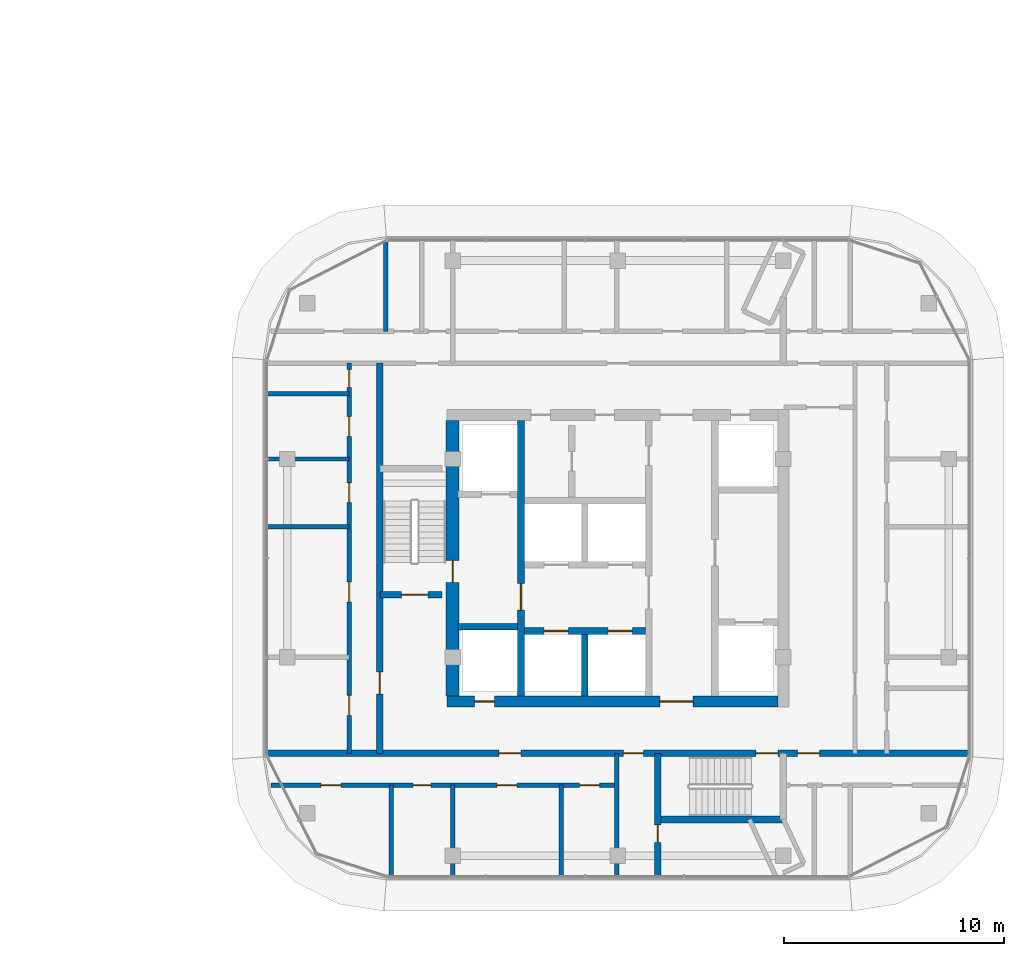
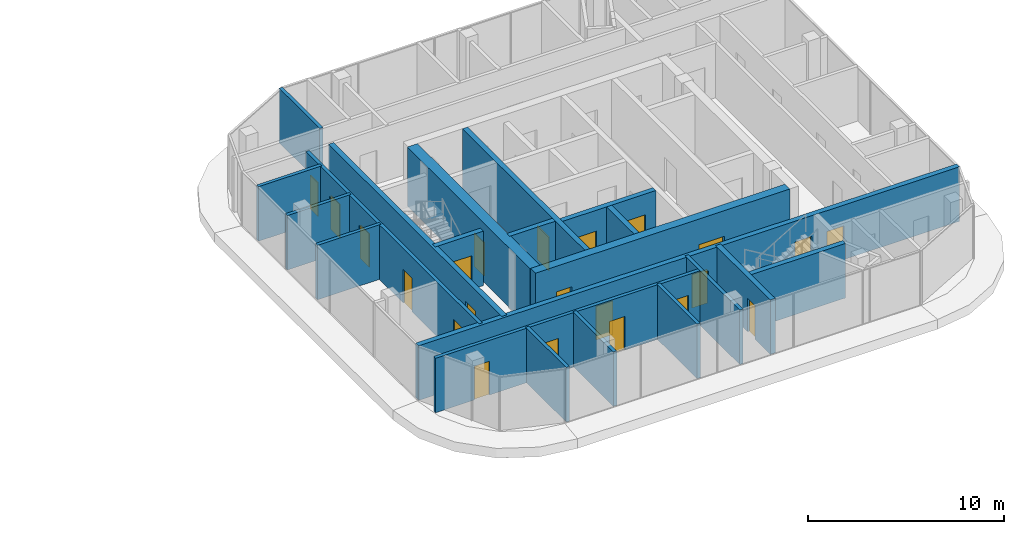
# One storey, part 26 of 40: 22 doors, 21 walls, 22 openings.
"""IFC4 building model written with IfcOpenShell, lengths in metres."""

from ifc_helpers import new_model, si_unit, direction, frame, frame_2d, origin, place, context, subcontext, project, spatial, rectangle, extrude, material, layer, layer_set, type_object, element, fill, save


model = new_model("IFC4")

# Units and contexts
model_context = context("Model", 3, precision=1e-05, world=origin(), true_north=direction((0.0, 1.0)))
body_context = subcontext(model_context, "Body", "Model", "MODEL_VIEW")
ifc_project = project(units=[si_unit("LENGTHUNIT", "METRE"), si_unit("AREAUNIT", "SQUARE_METRE"), si_unit("VOLUMEUNIT", "CUBIC_METRE"), si_unit("PLANEANGLEUNIT", "RADIAN"), si_unit("MASSUNIT", "GRAM", prefix="KILO")], contexts=[model_context])

# Site, building, storey
site_placement = place(None, origin())
site = spatial("IfcSite", under=ifc_project, at=site_placement, CompositionType="ELEMENT")
building_placement = place(site_placement, origin())
building = spatial("IfcBuilding", under=site, at=building_placement, Name="Ogive Portal Towers", CompositionType="ELEMENT")
storey_placement = place(building_placement, frame((0.0, 0.0, 87.10009765625)))
storey = spatial("IfcBuildingStorey", under=building, at=storey_placement, Name="L20", CompositionType="ELEMENT", Elevation=87.10009765625)

# Wall, opening, door
ifc_material_1 = material(Name="Concrete C60/75", Category="concrete")
ifc_layer_1 = layer(ifc_material_1, 0.300048828125)
ifc_layer_set_1 = layer_set([ifc_layer_1], Name="CORE WALL 300 C60")
wall_type_1 = type_object("IfcWallType", Name="CORE WALL 300 C60", PredefinedType="SHEAR", material=ifc_layer_set_1)
wall_1_placement = place(storey_placement, frame((132.10009765625, 24.75, 0.0), z_axis=(0.0, 0.0, 1.0), x_axis=(0.0, 1.0, 0.0)))
wall_1 = element("IfcWall", 1, at=wall_1_placement, inside=storey, type_object=wall_type_1, Name="Tower B core wall BX1 L20", PredefinedType="SHEAR", context=body_context, shape_type="SweptSolid", body=[
    extrude(rectangle(XDim=12.5, YDim=0.300048828125, at=frame_2d((6.25, 0.0))), origin(), (0.0, 0.0, 1.0), 3.699951171875),
])
opening_1_placement = place(wall_1_placement, frame((3.89990234375, 0.0, 0.0)))
opening_1 = element("IfcOpeningElement", 2, at=opening_1_placement, cuts=wall_1, Name="Opening B07-042", PredefinedType="OPENING", context=body_context, shape_type="SweptSolid", body=[
    extrude(rectangle(XDim=1.199951171875, YDim=2.10009765625, at=frame_2d((0.60009765625, 1.050048828125))), frame((0.0, 0.16015625, 0.0), z_axis=(0.0, -1.0, 0.0), x_axis=(1.0, 0.0, 0.0)), (0.0, 0.0, 1.0), 0.320068359375),
])
ifc_material_2 = material(Name="Steel fire door", Category="steel")
door_type_1 = type_object("IfcDoorType", Name="DT-SWING-1200x2100-FD90S", OperationType="SINGLE_SWING_LEFT", PredefinedType="DOOR", material=ifc_material_2)
door_1_placement = place(opening_1_placement, origin())
door_1 = element("IfcDoor", 3, at=door_1_placement, inside=storey, type_object=door_type_1, Name="Door B07-042", OperationType="SINGLE_SWING_LEFT", OverallHeight=2.10009765625, OverallWidth=1.199951171875, PredefinedType="DOOR", context=body_context, shape_type="SweptSolid", body=[
    extrude(rectangle(XDim=1.199951171875, YDim=2.10009765625, at=frame_2d((0.60009765625, 1.050048828125))), frame((0.0, 0.02490234375, 0.0), z_axis=(0.0, -1.0, 0.0), x_axis=(1.0, 0.0, 0.0)), (0.0, 0.0, 1.0), 0.050048828125),
])
fill(opening_1, door_1)

# Wall
wall_2_placement = place(storey_placement, frame((135.0, 24.75, 0.0), z_axis=(0.0, 0.0, 1.0), x_axis=(0.0, 1.0, 0.0)))
element("IfcWall", 4, at=wall_2_placement, inside=storey, type_object=wall_type_1, Name="Tower B core wall BX4 L20", PredefinedType="SHEAR", context=body_context, shape_type="SweptSolid", body=[
    extrude(rectangle(XDim=2.800048828125, YDim=0.300048828125, at=frame_2d((1.39990234375, 0.0))), origin(), (0.0, 0.0, 1.0), 3.699951171875),
])

# Wall, openings, doors
wall_3_placement = place(storey_placement, frame((132.25, 27.699951171875, 0.0), z_axis=(0.0, 0.0, 1.0), x_axis=(1.0, 0.0, 0.0)))
wall_3 = element("IfcWall", 5, at=wall_3_placement, inside=storey, type_object=wall_type_1, Name="Tower B core wall BY1 L20", PredefinedType="SHEAR", context=body_context, shape_type="SweptSolid", body=[
    extrude(rectangle(XDim=5.5, YDim=0.300048828125, at=frame_2d((2.75, 0.0))), origin(), (0.0, 0.0, 1.0), 3.699951171875),
])
opening_2_placement = place(wall_3_placement, frame((0.89990234375, 0.0, 0.0)))
opening_2 = element("IfcOpeningElement", 6, at=opening_2_placement, cuts=wall_3, Name="Opening B07-049", PredefinedType="OPENING", context=body_context, shape_type="SweptSolid", body=[
    extrude(rectangle(XDim=1.10009765625, YDim=2.39990234375, at=frame_2d((0.550048828125, 1.199951171875))), frame((0.0, 0.16015625, 0.0), z_axis=(0.0, -1.0, 0.0), x_axis=(1.0, 0.0, 0.0)), (0.0, 0.0, 1.0), 0.320068359375),
])
opening_3_placement = place(wall_3_placement, frame((3.800048828125, 0.0, 0.0)))
opening_3 = element("IfcOpeningElement", 7, at=opening_3_placement, cuts=wall_3, Name="Opening B07-050", PredefinedType="OPENING", context=body_context, shape_type="SweptSolid", body=[
    extrude(rectangle(XDim=1.10009765625, YDim=2.39990234375, at=frame_2d((0.550048828125, 1.199951171875))), frame((0.0, 0.16015625, 0.0), z_axis=(0.0, -1.0, 0.0), x_axis=(1.0, 0.0, 0.0)), (0.0, 0.0, 1.0), 0.320068359375),
])
ifc_material_3 = material(Name="Stainless steel", Category="steel")
door_type_2 = type_object("IfcDoorType", Name="DT-LD-1100x2400", OperationType="SLIDING_TO_LEFT", PredefinedType="DOOR", material=ifc_material_3)
door_2_placement = place(opening_2_placement, origin())
door_2 = element("IfcDoor", 8, at=door_2_placement, inside=storey, type_object=door_type_2, Name="Door B07-049", OperationType="SLIDING_TO_LEFT", OverallHeight=2.39990234375, OverallWidth=1.10009765625, PredefinedType="DOOR", context=body_context, shape_type="SweptSolid", body=[
    extrude(rectangle(XDim=1.10009765625, YDim=2.39990234375, at=frame_2d((0.550048828125, 1.199951171875))), frame((0.0, 0.02490234375, 0.0), z_axis=(0.0, -1.0, 0.0), x_axis=(1.0, 0.0, 0.0)), (0.0, 0.0, 1.0), 0.050048828125),
])
fill(opening_2, door_2)
door_3_placement = place(opening_3_placement, origin())
door_3 = element("IfcDoor", 9, at=door_3_placement, inside=storey, type_object=door_type_2, Name="Door B07-050", OperationType="SLIDING_TO_LEFT", OverallHeight=2.39990234375, OverallWidth=1.10009765625, PredefinedType="DOOR", context=body_context, shape_type="SweptSolid", body=[
    extrude(rectangle(XDim=1.10009765625, YDim=2.39990234375, at=frame_2d((0.550048828125, 1.199951171875))), frame((0.0, 0.02490234375, 0.0), z_axis=(0.0, -1.0, 0.0), x_axis=(1.0, 0.0, 0.0)), (0.0, 0.0, 1.0), 0.050048828125),
])
fill(opening_3, door_3)

# Wall
wall_4_placement = place(storey_placement, frame((129.25, 27.89990234375, 0.0), z_axis=(0.0, 0.0, 1.0), x_axis=(1.0, 0.0, 0.0)))
element("IfcWall", 10, at=wall_4_placement, inside=storey, type_object=wall_type_1, Name="Tower B core wall BY4 L20", PredefinedType="SHEAR", context=body_context, shape_type="SweptSolid", body=[
    extrude(rectangle(XDim=2.699951171875, YDim=0.300048828125, at=frame_2d((1.35009765625, 0.0))), origin(), (0.0, 0.0, 1.0), 3.699951171875),
])

# Wall, openings, doors
ifc_layer_2 = layer(ifc_material_1, 0.5)
ifc_layer_set_2 = layer_set([ifc_layer_2], Name="CORE WALL 500 C60")
wall_type_2 = type_object("IfcWallType", Name="CORE WALL 500 C60", PredefinedType="SHEAR", material=ifc_layer_set_2)
wall_5_placement = place(storey_placement, frame((128.75, 24.5, 0.0), z_axis=(0.0, 0.0, 1.0), x_axis=(1.0, 0.0, 0.0)))
wall_5 = element("IfcWall", 11, at=wall_5_placement, inside=storey, type_object=wall_type_2, Name="Tower B core wall BS L20", PredefinedType="SHEAR", context=body_context, shape_type="SweptSolid", body=[
    extrude(rectangle(XDim=15.0, YDim=0.5, at=frame_2d((7.5, 0.0))), origin(), (0.0, 0.0, 1.0), 3.699951171875),
])
opening_4_placement = place(wall_5_placement, frame((9.64990234375, 0.0, 0.0)))
opening_4 = element("IfcOpeningElement", 12, at=opening_4_placement, cuts=wall_5, Name="Opening B07-045", PredefinedType="OPENING", context=body_context, shape_type="SweptSolid", body=[
    extrude(rectangle(XDim=1.5, YDim=2.10009765625, at=frame_2d((0.75, 1.050048828125))), frame((0.0, 0.260009765625, 0.0), z_axis=(0.0, -1.0, 0.0), x_axis=(1.0, 0.0, 0.0)), (0.0, 0.0, 1.0), 0.52001953125),
])
opening_5_placement = place(wall_5_placement, frame((1.25, 0.0, 0.0)))
opening_5 = element("IfcOpeningElement", 13, at=opening_5_placement, cuts=wall_5, Name="Opening B07-047", PredefinedType="OPENING", context=body_context, shape_type="SweptSolid", body=[
    extrude(rectangle(XDim=0.89990234375, YDim=2.10009765625, at=frame_2d((0.449951171875, 1.050048828125))), frame((0.0, 0.260009765625, 0.0), z_axis=(0.0, -1.0, 0.0), x_axis=(1.0, 0.0, 0.0)), (0.0, 0.0, 1.0), 0.52001953125),
])
door_type_3 = type_object("IfcDoorType", Name="DT-SWING-1500x2100-FD90S", OperationType="SINGLE_SWING_LEFT", PredefinedType="DOOR", material=ifc_material_2)
door_4_placement = place(opening_4_placement, origin())
door_4 = element("IfcDoor", 14, at=door_4_placement, inside=storey, type_object=door_type_3, Name="Door B07-045", OperationType="SINGLE_SWING_LEFT", OverallHeight=2.10009765625, OverallWidth=1.5, PredefinedType="DOOR", context=body_context, shape_type="SweptSolid", body=[
    extrude(rectangle(XDim=1.5, YDim=2.10009765625, at=frame_2d((0.75, 1.050048828125))), frame((0.0, 0.02490234375, 0.0), z_axis=(0.0, -1.0, 0.0), x_axis=(1.0, 0.0, 0.0)), (0.0, 0.0, 1.0), 0.050048828125),
])
fill(opening_4, door_4)
door_type_4 = type_object("IfcDoorType", Name="DT-SWING-900x2100-FD90S", OperationType="SINGLE_SWING_LEFT", PredefinedType="DOOR", material=ifc_material_2)
door_5_placement = place(opening_5_placement, origin())
door_5 = element("IfcDoor", 15, at=door_5_placement, inside=storey, type_object=door_type_4, Name="Riser access door B07-047", OperationType="SINGLE_SWING_LEFT", OverallHeight=2.10009765625, OverallWidth=0.89990234375, PredefinedType="DOOR", context=body_context, shape_type="SweptSolid", body=[
    extrude(rectangle(XDim=0.89990234375, YDim=2.10009765625, at=frame_2d((0.449951171875, 1.050048828125))), frame((0.0, 0.02490234375, 0.0), z_axis=(0.0, -1.0, 0.0), x_axis=(1.0, 0.0, 0.0)), (0.0, 0.0, 1.0), 0.050048828125),
])
fill(opening_5, door_5)

# Wall, opening, door
ifc_layer_3 = layer(ifc_material_1, 0.60009765625)
ifc_layer_set_3 = layer_set([ifc_layer_3], Name="CORE WALL 600 C60")
wall_type_3 = type_object("IfcWallType", Name="CORE WALL 600 C60", PredefinedType="SHEAR", material=ifc_layer_set_3)
wall_6_placement = place(storey_placement, frame((129.0, 24.75, 0.0), z_axis=(0.0, 0.0, 1.0), x_axis=(0.0, 1.0, 0.0)))
wall_6 = element("IfcWall", 16, at=wall_6_placement, inside=storey, type_object=wall_type_3, Name="Tower B core wall BW L20", PredefinedType="SHEAR", context=body_context, shape_type="SweptSolid", body=[
    extrude(rectangle(XDim=12.5, YDim=0.60009765625, at=frame_2d((6.25, 0.0))), origin(), (0.0, 0.0, 1.0), 3.699951171875),
])
opening_6_placement = place(wall_6_placement, frame((5.14990234375, 0.0, 0.0)))
opening_6 = element("IfcOpeningElement", 17, at=opening_6_placement, cuts=wall_6, Name="Opening B07-044", PredefinedType="OPENING", context=body_context, shape_type="SweptSolid", body=[
    extrude(rectangle(XDim=1.0, YDim=2.10009765625, at=frame_2d((0.5, 1.050048828125))), frame((0.0, 0.31005859375, 0.0), z_axis=(0.0, -1.0, 0.0), x_axis=(1.0, 0.0, 0.0)), (0.0, 0.0, 1.0), 0.6201171875),
])
door_type_5 = type_object("IfcDoorType", Name="DT-SWING-1000x2100-FD90S", OperationType="SINGLE_SWING_LEFT", PredefinedType="DOOR", material=ifc_material_2)
door_6_placement = place(opening_6_placement, origin())
door_6 = element("IfcDoor", 18, at=door_6_placement, inside=storey, type_object=door_type_5, Name="Door B07-044", OperationType="SINGLE_SWING_RIGHT", OverallHeight=2.10009765625, OverallWidth=1.0, PredefinedType="DOOR", context=body_context, shape_type="SweptSolid", body=[
    extrude(rectangle(XDim=1.0, YDim=2.10009765625, at=frame_2d((0.5, 1.050048828125))), frame((0.0, 0.02490234375, 0.0), z_axis=(0.0, -1.0, 0.0), x_axis=(1.0, 0.0, 0.0)), (0.0, 0.0, 1.0), 0.050048828125),
])
fill(opening_6, door_6)

# Wall
ifc_material_4 = material(Name="Concrete C50/60", Category="concrete")
ifc_layer_4 = layer(ifc_material_4, 0.300048828125)
ifc_layer_set_4 = layer_set([ifc_layer_4], Name="STAIR WALL 300 C50")
wall_type_4 = type_object("IfcWallType", Name="STAIR WALL 300 C50", PredefinedType="SHEAR", material=ifc_layer_set_4)
wall_7_placement = place(storey_placement, frame((138.25, 19.14990234375, 0.0), z_axis=(0.0, 0.0, 1.0), x_axis=(1.0, 0.0, 0.0)))
element("IfcWall", 19, at=wall_7_placement, inside=storey, type_object=wall_type_4, Name="Stair wall ST-B2 L20", PredefinedType="SHEAR", context=body_context, shape_type="SweptSolid", body=[
    extrude(rectangle(XDim=5.75, YDim=0.300048828125, at=frame_2d((2.875, 0.0))), origin(), (0.0, 0.0, 1.0), 3.39990234375),
])

# Wall, openings, doors
wall_8_placement = place(storey_placement, frame((120.56005859375, 22.14990234375, 0.0), z_axis=(0.0, 0.0, 1.0), x_axis=(1.0, 0.0, 0.0)))
wall_8 = element("IfcWall", 20, at=wall_8_placement, inside=storey, type_object=wall_type_4, Name="Stair wall ST-B2 L20", PredefinedType="SHEAR", context=body_context, shape_type="SweptSolid", body=[
    extrude(rectangle(XDim=31.8798828125, YDim=0.300048828125, at=frame_2d((15.93994140625, 0.0))), origin(), (0.0, 0.0, 1.0), 3.39990234375),
])
opening_7_placement = place(wall_8_placement, frame((22.18994140625, 0.0, 0.0)))
opening_7 = element("IfcOpeningElement", 21, at=opening_7_placement, cuts=wall_8, Name="Opening B07-003", PredefinedType="OPENING", context=body_context, shape_type="SweptSolid", body=[
    extrude(rectangle(XDim=1.0, YDim=2.10009765625, at=frame_2d((0.5, 1.050048828125))), frame((0.0, 0.16015625, 0.0), z_axis=(0.0, -1.0, 0.0), x_axis=(1.0, 0.0, 0.0)), (0.0, 0.0, 1.0), 0.320068359375),
])
opening_8_placement = place(wall_8_placement, frame((10.5400390625, 0.0, 0.0)))
opening_8 = element("IfcOpeningElement", 22, at=opening_8_placement, cuts=wall_8, Name="Opening B07-018", PredefinedType="OPENING", context=body_context, shape_type="SweptSolid", body=[
    extrude(rectangle(XDim=1.0, YDim=2.10009765625, at=frame_2d((0.5, 1.050048828125))), frame((0.0, 0.16015625, 0.0), z_axis=(0.0, -1.0, 0.0), x_axis=(1.0, 0.0, 0.0)), (0.0, 0.0, 1.0), 0.320068359375),
])
opening_9_placement = place(wall_8_placement, frame((24.090087890625, 0.0, 0.0)))
opening_9 = element("IfcOpeningElement", 23, at=opening_9_placement, cuts=wall_8, Name="Opening B07-023", PredefinedType="OPENING", context=body_context, shape_type="SweptSolid", body=[
    extrude(rectangle(XDim=1.0, YDim=2.10009765625, at=frame_2d((0.5, 1.050048828125))), frame((0.0, 0.16015625, 0.0), z_axis=(0.0, -1.0, 0.0), x_axis=(1.0, 0.0, 0.0)), (0.0, 0.0, 1.0), 0.320068359375),
])
opening_10_placement = place(wall_8_placement, frame((16.18994140625, 0.0, 0.0)))
opening_10 = element("IfcOpeningElement", 24, at=opening_10_placement, cuts=wall_8, Name="Opening B07-027", PredefinedType="OPENING", context=body_context, shape_type="SweptSolid", body=[
    extrude(rectangle(XDim=0.89990234375, YDim=2.10009765625, at=frame_2d((0.449951171875, 1.050048828125))), frame((0.0, 0.16015625, 0.0), z_axis=(0.0, -1.0, 0.0), x_axis=(1.0, 0.0, 0.0)), (0.0, 0.0, 1.0), 0.320068359375),
])
door_7_placement = place(opening_7_placement, origin())
door_7 = element("IfcDoor", 25, at=door_7_placement, inside=storey, type_object=door_type_5, Name="Door B07-003", OperationType="SINGLE_SWING_LEFT", OverallHeight=2.10009765625, OverallWidth=1.0, PredefinedType="DOOR", context=body_context, shape_type="SweptSolid", body=[
    extrude(rectangle(XDim=1.0, YDim=2.10009765625, at=frame_2d((0.5, 1.050048828125))), frame((0.0, 0.02490234375, 0.0), z_axis=(0.0, -1.0, 0.0), x_axis=(1.0, 0.0, 0.0)), (0.0, 0.0, 1.0), 0.050048828125),
])
fill(opening_7, door_7)
door_8_placement = place(opening_8_placement, origin())
door_8 = element("IfcDoor", 26, at=door_8_placement, inside=storey, type_object=door_type_5, Name="Door B07-018", OperationType="SINGLE_SWING_RIGHT", OverallHeight=2.10009765625, OverallWidth=1.0, PredefinedType="DOOR", context=body_context, shape_type="SweptSolid", body=[
    extrude(rectangle(XDim=1.0, YDim=2.10009765625, at=frame_2d((0.5, 1.050048828125))), frame((0.0, 0.02490234375, 0.0), z_axis=(0.0, -1.0, 0.0), x_axis=(1.0, 0.0, 0.0)), (0.0, 0.0, 1.0), 0.050048828125),
])
fill(opening_8, door_8)
door_9_placement = place(opening_9_placement, origin())
door_9 = element("IfcDoor", 27, at=door_9_placement, inside=storey, type_object=door_type_5, Name="Door B07-023", OperationType="SINGLE_SWING_LEFT", OverallHeight=2.10009765625, OverallWidth=1.0, PredefinedType="DOOR", context=body_context, shape_type="SweptSolid", body=[
    extrude(rectangle(XDim=1.0, YDim=2.10009765625, at=frame_2d((0.5, 1.050048828125))), frame((0.0, 0.02490234375, 0.0), z_axis=(0.0, -1.0, 0.0), x_axis=(1.0, 0.0, 0.0)), (0.0, 0.0, 1.0), 0.050048828125),
])
fill(opening_9, door_9)
door_10_placement = place(opening_10_placement, origin())
door_10 = element("IfcDoor", 28, at=door_10_placement, inside=storey, type_object=door_type_4, Name="Door B07-027", OperationType="SINGLE_SWING_LEFT", OverallHeight=2.10009765625, OverallWidth=0.89990234375, PredefinedType="DOOR", context=body_context, shape_type="SweptSolid", body=[
    extrude(rectangle(XDim=0.89990234375, YDim=2.10009765625, at=frame_2d((0.449951171875, 1.050048828125))), frame((0.0, 0.02490234375, 0.0), z_axis=(0.0, -1.0, 0.0), x_axis=(1.0, 0.0, 0.0)), (0.0, 0.0, 1.0), 0.050048828125),
])
fill(opening_10, door_10)

# Wall, opening, door
wall_9_placement = place(storey_placement, frame((125.699951171875, 29.35009765625, 0.0), z_axis=(0.0, 0.0, 1.0), x_axis=(1.0, 0.0, 0.0)))
wall_9 = element("IfcWall", 29, at=wall_9_placement, inside=storey, type_object=wall_type_4, Name="Stair wall ST-B1 L20", PredefinedType="SHEAR", context=body_context, shape_type="SweptSolid", body=[
    extrude(rectangle(XDim=2.830078125, YDim=0.300048828125, at=frame_2d((1.4150390625, 0.0))), origin(), (0.0, 0.0, 1.0), 3.39990234375),
])
opening_11_placement = place(wall_9_placement, frame((0.97509765625, 0.0, 0.0)))
opening_11 = element("IfcOpeningElement", 30, at=opening_11_placement, cuts=wall_9, Name="Opening B07-002", PredefinedType="OPENING", context=body_context, shape_type="SweptSolid", body=[
    extrude(rectangle(XDim=1.199951171875, YDim=2.10009765625, at=frame_2d((0.60009765625, 1.050048828125))), frame((0.0, 0.16015625, 0.0), z_axis=(0.0, -1.0, 0.0), x_axis=(1.0, 0.0, 0.0)), (0.0, 0.0, 1.0), 0.320068359375),
])
door_11_placement = place(opening_11_placement, origin())
door_11 = element("IfcDoor", 31, at=door_11_placement, inside=storey, type_object=door_type_1, Name="Door B07-002", OperationType="SINGLE_SWING_RIGHT", OverallHeight=2.10009765625, OverallWidth=1.199951171875, PredefinedType="DOOR", context=body_context, shape_type="SweptSolid", body=[
    extrude(rectangle(XDim=1.199951171875, YDim=2.10009765625, at=frame_2d((0.60009765625, 1.050048828125))), frame((0.0, 0.02490234375, 0.0), z_axis=(0.0, -1.0, 0.0), x_axis=(1.0, 0.0, 0.0)), (0.0, 0.0, 1.0), 0.050048828125),
])
fill(opening_11, door_11)

wall_10_placement = place(storey_placement, frame((125.699951171875, 22.14990234375, 0.0), z_axis=(0.0, 0.0, 1.0), x_axis=(0.0, 1.0, 0.0)))
wall_10 = element("IfcWall", 32, at=wall_10_placement, inside=storey, type_object=wall_type_4, Name="Stair wall ST-B1 L20", PredefinedType="SHEAR", context=body_context, shape_type="SweptSolid", body=[
    extrude(rectangle(XDim=17.7001953125, YDim=0.300048828125, at=frame_2d((8.85009765625, 0.0))), origin(), (0.0, 0.0, 1.0), 3.39990234375),
])
opening_12_placement = place(wall_10_placement, frame((2.699951171875, 0.0, 0.0)))
opening_12 = element("IfcOpeningElement", 33, at=opening_12_placement, cuts=wall_10, Name="Opening B07-029", PredefinedType="OPENING", context=body_context, shape_type="SweptSolid", body=[
    extrude(rectangle(XDim=1.0, YDim=2.10009765625, at=frame_2d((0.5, 1.050048828125))), frame((0.0, 0.16015625, 0.0), z_axis=(0.0, -1.0, 0.0), x_axis=(1.0, 0.0, 0.0)), (0.0, 0.0, 1.0), 0.320068359375),
])
door_12_placement = place(opening_12_placement, origin())
door_12 = element("IfcDoor", 34, at=door_12_placement, inside=storey, type_object=door_type_5, Name="Door B07-029", OperationType="SINGLE_SWING_LEFT", OverallHeight=2.10009765625, OverallWidth=1.0, PredefinedType="DOOR", context=body_context, shape_type="SweptSolid", body=[
    extrude(rectangle(XDim=1.0, YDim=2.10009765625, at=frame_2d((0.5, 1.050048828125))), frame((0.0, 0.02490234375, 0.0), z_axis=(0.0, -1.0, 0.0), x_axis=(1.0, 0.0, 0.0)), (0.0, 0.0, 1.0), 0.050048828125),
])
fill(opening_12, door_12)

wall_11_placement = place(storey_placement, frame((138.300048828125, 16.56005859375, 0.0), z_axis=(0.0, 0.0, 1.0), x_axis=(0.0, 1.0, 0.0)))
wall_11 = element("IfcWall", 35, at=wall_11_placement, inside=storey, type_object=wall_type_4, Name="Stair wall ST-B2 L20", PredefinedType="SHEAR", context=body_context, shape_type="SweptSolid", body=[
    extrude(rectangle(XDim=5.58984375, YDim=0.300048828125, at=frame_2d((2.794921875, 0.0))), origin(), (0.0, 0.0, 1.0), 3.39990234375),
])
opening_13_placement = place(wall_11_placement, frame((1.5400390625, 0.0, 0.0)))
opening_13 = element("IfcOpeningElement", 36, at=opening_13_placement, cuts=wall_11, Name="Opening B07-028", PredefinedType="OPENING", context=body_context, shape_type="SweptSolid", body=[
    extrude(rectangle(XDim=0.800048828125, YDim=2.10009765625, at=frame_2d((0.39990234375, 1.050048828125))), frame((0.0, 0.16015625, 0.0), z_axis=(0.0, -1.0, 0.0), x_axis=(1.0, 0.0, 0.0)), (0.0, 0.0, 1.0), 0.320068359375),
])
door_type_6 = type_object("IfcDoorType", Name="DT-SWING-800x2100-FD90S", OperationType="SINGLE_SWING_LEFT", PredefinedType="DOOR", material=ifc_material_2)
door_13_placement = place(opening_13_placement, origin())
door_13 = element("IfcDoor", 37, at=door_13_placement, inside=storey, type_object=door_type_6, Name="Door B07-028", OperationType="SINGLE_SWING_RIGHT", OverallHeight=2.10009765625, OverallWidth=0.800048828125, PredefinedType="DOOR", context=body_context, shape_type="SweptSolid", body=[
    extrude(rectangle(XDim=0.800048828125, YDim=2.10009765625, at=frame_2d((0.39990234375, 1.050048828125))), frame((0.0, 0.02490234375, 0.0), z_axis=(0.0, -1.0, 0.0), x_axis=(1.0, 0.0, 0.0)), (0.0, 0.0, 1.0), 0.050048828125),
])
fill(opening_13, door_13)

# Wall, openings, doors
ifc_material_5 = material(Name="Gypsum board partition on steel studs", Category="steel")
ifc_layer_5 = layer(ifc_material_5, 0.199951171875)
ifc_layer_set_5 = layer_set([ifc_layer_5], Name="WT-PART-200-EI 60")
wall_type_5 = type_object("IfcWallType", Name="WT-PART-200-EI 60", PredefinedType="PARTITIONING", material=ifc_layer_set_5)
wall_12_placement = place(storey_placement, frame((120.764892578125, 20.7099609375, 0.0), z_axis=(0.0, 0.0, 1.0), x_axis=(1.0, 0.0, 0.0)))
wall_12 = element("IfcWall", 38, at=wall_12_placement, inside=storey, type_object=wall_type_5, Name="Wall L20:w013", PredefinedType="PARTITIONING", context=body_context, shape_type="SweptSolid", body=[
    extrude(rectangle(XDim=15.735107421875, YDim=0.199951171875, at=frame_2d((7.86767578125, 0.0))), origin(), (0.0, 0.0, 1.0), 3.39990234375),
])
opening_14_placement = place(wall_12_placement, frame((2.27587890625, 0.0, 0.0)))
opening_14 = element("IfcOpeningElement", 39, at=opening_14_placement, cuts=wall_12, Name="Opening B07-019", PredefinedType="OPENING", context=body_context, shape_type="SweptSolid", body=[
    extrude(rectangle(XDim=0.89990234375, YDim=2.10009765625, at=frame_2d((0.449951171875, 1.050048828125))), frame((0.0, 0.10986328125, 0.0), z_axis=(0.0, -1.0, 0.0), x_axis=(1.0, 0.0, 0.0)), (0.0, 0.0, 1.0), 0.219970703125),
])
opening_15_placement = place(wall_12_placement, frame((6.445068359375, 0.0, 0.0)))
opening_15 = element("IfcOpeningElement", 40, at=opening_15_placement, cuts=wall_12, Name="Opening B07-020", PredefinedType="OPENING", context=body_context, shape_type="SweptSolid", body=[
    extrude(rectangle(XDim=0.800048828125, YDim=2.10009765625, at=frame_2d((0.39990234375, 1.050048828125))), frame((0.0, 0.10986328125, 0.0), z_axis=(0.0, -1.0, 0.0), x_axis=(1.0, 0.0, 0.0)), (0.0, 0.0, 1.0), 0.219970703125),
])
opening_16_placement = place(wall_12_placement, frame((10.251953125, 0.0, 0.0)))
opening_16 = element("IfcOpeningElement", 41, at=opening_16_placement, cuts=wall_12, Name="Opening B07-021", PredefinedType="OPENING", context=body_context, shape_type="SweptSolid", body=[
    extrude(rectangle(XDim=0.89990234375, YDim=2.10009765625, at=frame_2d((0.449951171875, 1.050048828125))), frame((0.0, 0.10986328125, 0.0), z_axis=(0.0, -1.0, 0.0), x_axis=(1.0, 0.0, 0.0)), (0.0, 0.0, 1.0), 0.219970703125),
])
opening_17_placement = place(wall_12_placement, frame((14.001953125, 0.0, 0.0)))
opening_17 = element("IfcOpeningElement", 42, at=opening_17_placement, cuts=wall_12, Name="Opening B07-022", PredefinedType="OPENING", context=body_context, shape_type="SweptSolid", body=[
    extrude(rectangle(XDim=0.89990234375, YDim=2.10009765625, at=frame_2d((0.449951171875, 1.050048828125))), frame((0.0, 0.10986328125, 0.0), z_axis=(0.0, -1.0, 0.0), x_axis=(1.0, 0.0, 0.0)), (0.0, 0.0, 1.0), 0.219970703125),
])
door_type_7 = type_object("IfcDoorType", Name="DT-SWING-800x2100-FD60S", OperationType="SINGLE_SWING_LEFT", PredefinedType="DOOR", material=ifc_material_2)
door_14_placement = place(opening_15_placement, origin())
door_14 = element("IfcDoor", 43, at=door_14_placement, inside=storey, type_object=door_type_7, Name="Door B07-020", OperationType="SINGLE_SWING_RIGHT", OverallHeight=2.10009765625, OverallWidth=0.800048828125, PredefinedType="DOOR", context=body_context, shape_type="SweptSolid", body=[
    extrude(rectangle(XDim=0.800048828125, YDim=2.10009765625, at=frame_2d((0.39990234375, 1.050048828125))), frame((0.0, 0.02490234375, 0.0), z_axis=(0.0, -1.0, 0.0), x_axis=(1.0, 0.0, 0.0)), (0.0, 0.0, 1.0), 0.050048828125),
])
fill(opening_15, door_14)
door_type_8 = type_object("IfcDoorType", Name="DT-SWING-900x2100-FD60S", OperationType="SINGLE_SWING_LEFT", PredefinedType="DOOR", material=ifc_material_2)
door_15_placement = place(opening_14_placement, origin())
door_15 = element("IfcDoor", 44, at=door_15_placement, inside=storey, type_object=door_type_8, Name="Door B07-019", OperationType="SINGLE_SWING_LEFT", OverallHeight=2.10009765625, OverallWidth=0.89990234375, PredefinedType="DOOR", context=body_context, shape_type="SweptSolid", body=[
    extrude(rectangle(XDim=0.89990234375, YDim=2.10009765625, at=frame_2d((0.449951171875, 1.050048828125))), frame((0.0, 0.02490234375, 0.0), z_axis=(0.0, -1.0, 0.0), x_axis=(1.0, 0.0, 0.0)), (0.0, 0.0, 1.0), 0.050048828125),
])
fill(opening_14, door_15)
door_16_placement = place(opening_16_placement, origin())
door_16 = element("IfcDoor", 45, at=door_16_placement, inside=storey, type_object=door_type_8, Name="Door B07-021", OperationType="SINGLE_SWING_LEFT", OverallHeight=2.10009765625, OverallWidth=0.89990234375, PredefinedType="DOOR", context=body_context, shape_type="SweptSolid", body=[
    extrude(rectangle(XDim=0.89990234375, YDim=2.10009765625, at=frame_2d((0.449951171875, 1.050048828125))), frame((0.0, 0.02490234375, 0.0), z_axis=(0.0, -1.0, 0.0), x_axis=(1.0, 0.0, 0.0)), (0.0, 0.0, 1.0), 0.050048828125),
])
fill(opening_16, door_16)
door_17_placement = place(opening_17_placement, origin())
door_17 = element("IfcDoor", 46, at=door_17_placement, inside=storey, type_object=door_type_8, Name="Door B07-022", OperationType="SINGLE_SWING_RIGHT", OverallHeight=2.10009765625, OverallWidth=0.89990234375, PredefinedType="DOOR", context=body_context, shape_type="SweptSolid", body=[
    extrude(rectangle(XDim=0.89990234375, YDim=2.10009765625, at=frame_2d((0.449951171875, 1.050048828125))), frame((0.0, 0.02490234375, 0.0), z_axis=(0.0, -1.0, 0.0), x_axis=(1.0, 0.0, 0.0)), (0.0, 0.0, 1.0), 0.050048828125),
])
fill(opening_17, door_17)

# Walls
for number, where, z_axis, x_axis, name in (
    (47, (120.56005859375, 32.43310546875, 0.0), (0.0, 0.0, 1.0), (1.0, 0.0, 0.0), "Wall L20:w022"),
    (48, (120.56005859375, 35.5, 0.0), (0.0, 0.0, 1.0), (1.0, 0.0, 0.0), "Wall L20:w025"),
    (49, (120.56005859375, 38.4560546875, 0.0), (0.0, 0.0, 1.0), (1.0, 0.0, 0.0), "Wall L20:w029"),
):
    element("IfcWall", number, at=place(storey_placement, frame(where, z_axis=z_axis, x_axis=x_axis)), inside=storey, type_object=wall_type_5, Name=name, PredefinedType="PARTITIONING", context=body_context, shape_type="SweptSolid", body=[
        extrude(rectangle(XDim=3.75, YDim=0.199951171875, at=frame_2d((1.875, 0.0))), origin(), (0.0, 0.0, 1.0), 3.39990234375),
    ])

# Wall, openings, doors
wall_13_placement = place(storey_placement, frame((124.31005859375, 22.14990234375, 0.0), z_axis=(0.0, 0.0, 1.0), x_axis=(0.0, 1.0, 0.0)))
wall_13 = element("IfcWall", 50, at=wall_13_placement, inside=storey, type_object=wall_type_5, Name="Wall L20:w032", PredefinedType="PARTITIONING", context=body_context, shape_type="SweptSolid", body=[
    extrude(rectangle(XDim=17.7001953125, YDim=0.199951171875, at=frame_2d((8.85009765625, 0.0))), origin(), (0.0, 0.0, 1.0), 3.39990234375),
])
opening_18_placement = place(wall_13_placement, frame((1.72509765625, 0.0, 0.0)))
opening_18 = element("IfcOpeningElement", 51, at=opening_18_placement, cuts=wall_13, Name="Opening B07-030", PredefinedType="OPENING", context=body_context, shape_type="SweptSolid", body=[
    extrude(rectangle(XDim=0.89990234375, YDim=2.10009765625, at=frame_2d((0.449951171875, 1.050048828125))), frame((0.0, 0.10986328125, 0.0), z_axis=(0.0, -1.0, 0.0), x_axis=(1.0, 0.0, 0.0)), (0.0, 0.0, 1.0), 0.219970703125),
])
opening_19_placement = place(wall_13_placement, frame((6.866943359375, 0.0, 0.0)))
opening_19 = element("IfcOpeningElement", 52, at=opening_19_placement, cuts=wall_13, Name="Opening B07-031", PredefinedType="OPENING", context=body_context, shape_type="SweptSolid", body=[
    extrude(rectangle(XDim=0.89990234375, YDim=2.10009765625, at=frame_2d((0.449951171875, 1.050048828125))), frame((0.0, 0.10986328125, 0.0), z_axis=(0.0, -1.0, 0.0), x_axis=(1.0, 0.0, 0.0)), (0.0, 0.0, 1.0), 0.219970703125),
])
opening_20_placement = place(wall_13_placement, frame((11.366943359375, 0.0, 0.0)))
opening_20 = element("IfcOpeningElement", 53, at=opening_20_placement, cuts=wall_13, Name="Opening B07-032", PredefinedType="OPENING", context=body_context, shape_type="SweptSolid", body=[
    extrude(rectangle(XDim=0.89990234375, YDim=2.10009765625, at=frame_2d((0.449951171875, 1.050048828125))), frame((0.0, 0.10986328125, 0.0), z_axis=(0.0, -1.0, 0.0), x_axis=(1.0, 0.0, 0.0)), (0.0, 0.0, 1.0), 0.219970703125),
])
opening_21_placement = place(wall_13_placement, frame((14.3779296875, 0.0, 0.0)))
opening_21 = element("IfcOpeningElement", 54, at=opening_21_placement, cuts=wall_13, Name="Opening B07-033", PredefinedType="OPENING", context=body_context, shape_type="SweptSolid", body=[
    extrude(rectangle(XDim=0.89990234375, YDim=2.10009765625, at=frame_2d((0.449951171875, 1.050048828125))), frame((0.0, 0.10986328125, 0.0), z_axis=(0.0, -1.0, 0.0), x_axis=(1.0, 0.0, 0.0)), (0.0, 0.0, 1.0), 0.219970703125),
])
opening_22_placement = place(wall_13_placement, frame((16.60302734375, 0.0, 0.0)))
opening_22 = element("IfcOpeningElement", 55, at=opening_22_placement, cuts=wall_13, Name="Opening B07-034", PredefinedType="OPENING", context=body_context, shape_type="SweptSolid", body=[
    extrude(rectangle(XDim=0.800048828125, YDim=2.10009765625, at=frame_2d((0.39990234375, 1.050048828125))), frame((0.0, 0.10986328125, 0.0), z_axis=(0.0, -1.0, 0.0), x_axis=(1.0, 0.0, 0.0)), (0.0, 0.0, 1.0), 0.219970703125),
])
door_18_placement = place(opening_22_placement, origin())
door_18 = element("IfcDoor", 56, at=door_18_placement, inside=storey, type_object=door_type_7, Name="Door B07-034", OperationType="SINGLE_SWING_RIGHT", OverallHeight=2.10009765625, OverallWidth=0.800048828125, PredefinedType="DOOR", context=body_context, shape_type="SweptSolid", body=[
    extrude(rectangle(XDim=0.800048828125, YDim=2.10009765625, at=frame_2d((0.39990234375, 1.050048828125))), frame((0.0, 0.02490234375, 0.0), z_axis=(0.0, -1.0, 0.0), x_axis=(1.0, 0.0, 0.0)), (0.0, 0.0, 1.0), 0.050048828125),
])
fill(opening_22, door_18)
door_19_placement = place(opening_18_placement, origin())
door_19 = element("IfcDoor", 57, at=door_19_placement, inside=storey, type_object=door_type_8, Name="Door B07-030", OperationType="SINGLE_SWING_RIGHT", OverallHeight=2.10009765625, OverallWidth=0.89990234375, PredefinedType="DOOR", context=body_context, shape_type="SweptSolid", body=[
    extrude(rectangle(XDim=0.89990234375, YDim=2.10009765625, at=frame_2d((0.449951171875, 1.050048828125))), frame((0.0, 0.02490234375, 0.0), z_axis=(0.0, -1.0, 0.0), x_axis=(1.0, 0.0, 0.0)), (0.0, 0.0, 1.0), 0.050048828125),
])
fill(opening_18, door_19)
door_20_placement = place(opening_19_placement, origin())
door_20 = element("IfcDoor", 58, at=door_20_placement, inside=storey, type_object=door_type_8, Name="Door B07-031", OperationType="SINGLE_SWING_LEFT", OverallHeight=2.10009765625, OverallWidth=0.89990234375, PredefinedType="DOOR", context=body_context, shape_type="SweptSolid", body=[
    extrude(rectangle(XDim=0.89990234375, YDim=2.10009765625, at=frame_2d((0.449951171875, 1.050048828125))), frame((0.0, 0.02490234375, 0.0), z_axis=(0.0, -1.0, 0.0), x_axis=(1.0, 0.0, 0.0)), (0.0, 0.0, 1.0), 0.050048828125),
])
fill(opening_19, door_20)
door_21_placement = place(opening_20_placement, origin())
door_21 = element("IfcDoor", 59, at=door_21_placement, inside=storey, type_object=door_type_8, Name="Door B07-032", OperationType="SINGLE_SWING_RIGHT", OverallHeight=2.10009765625, OverallWidth=0.89990234375, PredefinedType="DOOR", context=body_context, shape_type="SweptSolid", body=[
    extrude(rectangle(XDim=0.89990234375, YDim=2.10009765625, at=frame_2d((0.449951171875, 1.050048828125))), frame((0.0, 0.02490234375, 0.0), z_axis=(0.0, -1.0, 0.0), x_axis=(1.0, 0.0, 0.0)), (0.0, 0.0, 1.0), 0.050048828125),
])
fill(opening_20, door_21)
door_22_placement = place(opening_21_placement, origin())
door_22 = element("IfcDoor", 60, at=door_22_placement, inside=storey, type_object=door_type_8, Name="Door B07-033", OperationType="SINGLE_SWING_LEFT", OverallHeight=2.10009765625, OverallWidth=0.89990234375, PredefinedType="DOOR", context=body_context, shape_type="SweptSolid", body=[
    extrude(rectangle(XDim=0.89990234375, YDim=2.10009765625, at=frame_2d((0.449951171875, 1.050048828125))), frame((0.0, 0.02490234375, 0.0), z_axis=(0.0, -1.0, 0.0), x_axis=(1.0, 0.0, 0.0)), (0.0, 0.0, 1.0), 0.050048828125),
])
fill(opening_21, door_22)

# Walls
wall_14_placement = place(storey_placement, frame((125.9619140625, 41.2900390625, 0.0), z_axis=(0.0, 0.0, 1.0), x_axis=(0.0, 1.0, 0.0)))
element("IfcWall", 61, at=wall_14_placement, inside=storey, type_object=wall_type_5, Name="Wall L20:w034", PredefinedType="PARTITIONING", context=body_context, shape_type="SweptSolid", body=[
    extrude(rectangle(XDim=4.14306640625, YDim=0.199951171875, at=frame_2d((2.071533203125, 0.0))), origin(), (0.0, 0.0, 1.0), 3.39990234375),
])
for number, where, z_axis, x_axis, name in (
    (62, (126.219970703125, 16.56005859375, 0.0), (0.0, 0.0, 1.0), (0.0, 1.0, 0.0), "Wall L20:w035"),
    (63, (129.0, 16.56005859375, 0.0), (0.0, 0.0, 1.0), (0.0, 1.0, 0.0), "Wall L20:w039"),
    (64, (133.93310546875, 16.56005859375, 0.0), (0.0, 0.0, 1.0), (0.0, 1.0, 0.0), "Wall L20:w041"),
):
    element("IfcWall", number, at=place(storey_placement, frame(where, z_axis=z_axis, x_axis=x_axis)), inside=storey, type_object=wall_type_5, Name=name, PredefinedType="PARTITIONING", context=body_context, shape_type="SweptSolid", body=[
        extrude(rectangle(XDim=4.14990234375, YDim=0.199951171875, at=frame_2d((2.074951171875, 0.0))), origin(), (0.0, 0.0, 1.0), 3.39990234375),
    ])
wall_15_placement = place(storey_placement, frame((136.449951171875, 16.56005859375, 0.0), z_axis=(0.0, 0.0, 1.0), x_axis=(0.0, 1.0, 0.0)))
element("IfcWall", 65, at=wall_15_placement, inside=storey, type_object=wall_type_5, Name="Wall L20:w044", PredefinedType="PARTITIONING", context=body_context, shape_type="SweptSolid", body=[
    extrude(rectangle(XDim=5.58984375, YDim=0.199951171875, at=frame_2d((2.794921875, 0.0))), origin(), (0.0, 0.0, 1.0), 3.39990234375),
])

save(model, "model.ifc")
